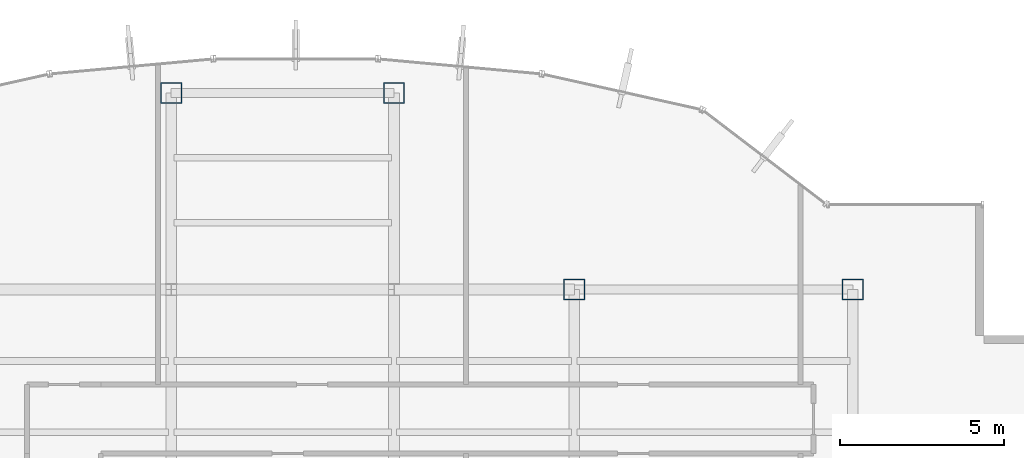
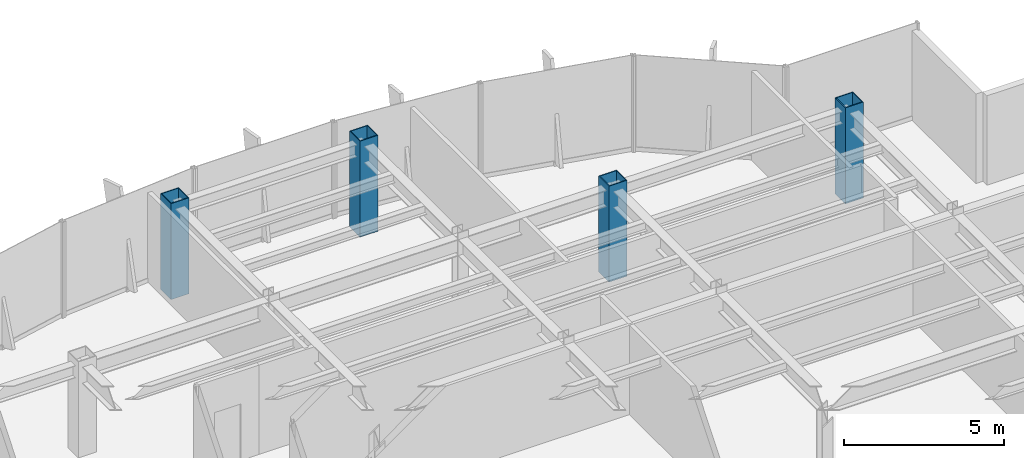
# One storey, part 2 of 25: 4 columns.
"""IFC4 building model written with IfcOpenShell, lengths in metres."""

from ifc_helpers import new_model, si_unit, derived_unit, direction, frame, origin, origin_2d, place, context, subcontext, project, spatial, hollow_rectangle, extrude, source, transform, mapped, material, material_profile, profile_set, type_object, element, save


model = new_model("IFC4")

# Units and contexts
model_context = context("Model", 3, precision=1e-05, world=origin(), true_north=direction((0.0, 1.0)))
body_context = subcontext(model_context, "Body", "Model", "MODEL_VIEW")
ifc_project = project(units=[si_unit("LENGTHUNIT", "METRE"), si_unit("AREAUNIT", "SQUARE_METRE"), si_unit("VOLUMEUNIT", "CUBIC_METRE"), si_unit("PLANEANGLEUNIT", "RADIAN"), si_unit("MASSUNIT", "GRAM", prefix="KILO"), derived_unit("THERMALTRANSMITTANCEUNIT", [(si_unit("POWERUNIT", "WATT"), 1), (si_unit("LENGTHUNIT", "METRE"), -2), (si_unit("THERMODYNAMICTEMPERATUREUNIT", "KELVIN"), -1)])], contexts=[model_context])

# Site, building, storey
site_placement = place(None, origin())
site = spatial("IfcSite", under=ifc_project, at=site_placement, CompositionType="ELEMENT")
building_placement = place(site_placement, origin())
building = spatial("IfcBuilding", under=site, at=building_placement, Name="Skarnbrae Concourse Arena and Tower", CompositionType="ELEMENT")
storey_placement = place(building_placement, frame((0.0, 0.0, 144.25)))
storey = spatial("IfcBuildingStorey", under=building, at=storey_placement, Name="L36", CompositionType="ELEMENT", Elevation=144.25)

# Columns
ifc_material = material(Name="Steel CSA G40.21 350W", Category="steel")
ifc_material_profile = material_profile(ifc_material, hollow_rectangle(XDim=0.64990234375, YDim=0.64990234375, WallThickness=0.031982421875, at=origin_2d()), Name="BOX650X650X32")
ifc_profile_set = profile_set([ifc_material_profile], Name="Steel CSA G40.21 350W")
column_type = type_object("IfcColumnType", Name="COL-TUBE-BOX650", PredefinedType="COLUMN", material=ifc_profile_set)
shared_shape = source(origin(), body_context, "Body", "SweptSolid", [
    extrude(hollow_rectangle(XDim=0.64990234375, YDim=0.64990234375, WallThickness=0.031982421875, at=origin_2d()), origin(), (0.0, 0.0, 1.0), 3.64990234375),
])
for number, where, z_axis, x_axis, name in (
    (1, (21.199951171875, 40.39990234375, 0.0), (0.0, 0.0, 1.0), (1.0, 0.0, 0.0), "L36 Tower column PC_04_06"),
    (2, (28.0, 40.39990234375, 0.0), (0.0, 0.0, 1.0), (1.0, 0.0, 0.0), "L36 Tower column PC_05_06"),
    (3, (33.5, 34.39990234375, 0.0), (0.0, 0.0, 1.0), (1.0, 0.0, 0.0), "L36 Tower column PC_06_05"),
    (4, (42.0, 34.39990234375, 0.0), (0.0, 0.0, 1.0), (1.0, 0.0, 0.0), "L36 Tower column PC_07_05"),
):
    element("IfcColumn", number, at=place(storey_placement, frame(where, z_axis=z_axis, x_axis=x_axis)), inside=storey, type_object=column_type, Name=name, PredefinedType="COLUMN", context=body_context, shape_type="MappedRepresentation", body=[
        mapped(shared_shape, transform((0.0, 0.0, 0.0))),
    ])

save(model, "model.ifc")
